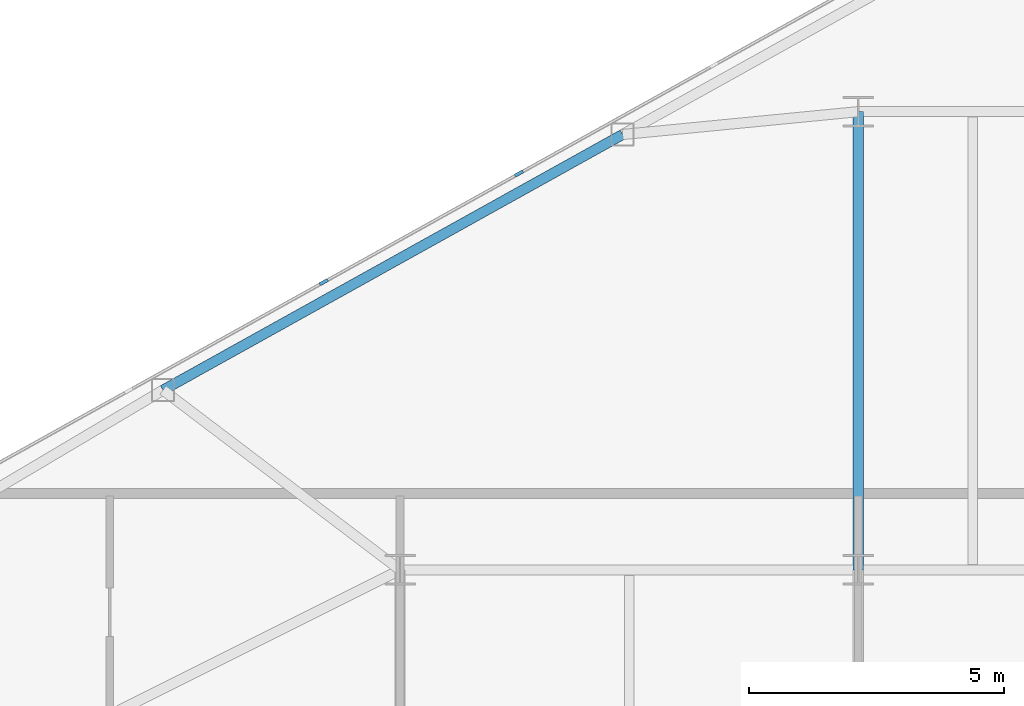
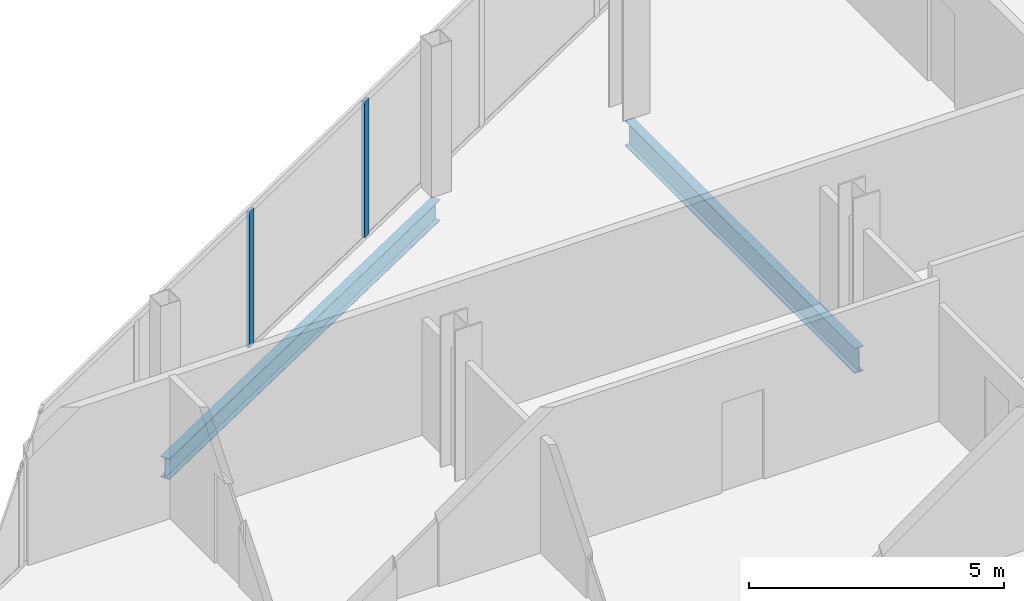
# One storey, part 8 of 26: 2 beams, 2 members, 1 element without a shape of its own.
"""IFC4 building model written with IfcOpenShell, lengths in metres."""

from ifc_helpers import new_model, si_unit, direction, frame, origin, origin_2d, place, context, subcontext, project, spatial, rectangle, i_section, extrude, source, transform, mapped, material, layer, layer_set, material_profile, profile_set, type_object, type_shapes, element, aggregate, save


model = new_model("IFC4")

# Units and contexts
model_context = context("Model", 3, precision=1e-05, world=origin(), true_north=direction((0.0, 1.0)))
body_context = subcontext(model_context, "Body", "Model", "MODEL_VIEW")
ifc_project = project(units=[si_unit("LENGTHUNIT", "METRE"), si_unit("AREAUNIT", "SQUARE_METRE"), si_unit("VOLUMEUNIT", "CUBIC_METRE"), si_unit("PLANEANGLEUNIT", "RADIAN"), si_unit("MASSUNIT", "GRAM", prefix="KILO")], contexts=[model_context])

# Site, building, storey
site_placement = place(None, origin())
site = spatial("IfcSite", under=ifc_project, at=site_placement, CompositionType="ELEMENT")
building_placement = place(site_placement, origin())
building = spatial("IfcBuilding", under=site, at=building_placement, Name="Seokmaru Belvedere", CompositionType="ELEMENT")
storey_placement = place(building_placement, frame((0.0, 0.0, 167.10009765625)))
storey = spatial("IfcBuildingStorey", under=building, at=storey_placement, Name="L44", CompositionType="ELEMENT", Elevation=167.10009765625)

# Beams
ifc_material_1 = material(Name="Steel SM355 (355 MPa)", Category="steel")
ifc_material_profile_1 = material_profile(ifc_material_1, i_section(OverallWidth=0.199951171875, OverallDepth=0.60009765625, WebThickness=0.010986328125, FlangeThickness=0.01708984375, at=origin_2d()), Name="H-600x200x11x17")
ifc_profile_set_1 = profile_set([ifc_material_profile_1], Name="Steel SM355 (355 MPa)")
beam_type_1 = type_object("IfcBeamType", Name="Primary Floor Girder H-600", PredefinedType="BEAM", material=ifc_profile_set_1)
shared_shape_1 = source(origin(), body_context, "Body", "SweptSolid", [
    extrude(i_section(OverallWidth=0.199951171875, OverallDepth=0.60009765625, WebThickness=0.010986328125, FlangeThickness=0.01708984375, at=origin_2d()), origin(), (0.0, 0.0, 1.0), 9.0),
])
type_shapes(beam_type_1, [shared_shape_1])
beam_1_placement = place(storey_placement, frame((-45.5, 4.5, -0.52001953125), z_axis=(0.0, 1.0, 0.0), x_axis=(-1.0, 0.0, 0.0)))
element("IfcBeam", 1, at=beam_1_placement, inside=storey, type_object=beam_type_1, Name="L44 W Interior Grid Girder 3", PredefinedType="BEAM", context=body_context, shape_type="MappedRepresentation", body=[
    mapped(shared_shape_1, transform((0.0, 0.0, 0.0), scale=1.0)),
])
ifc_material_profile_2 = material_profile(ifc_material_1, i_section(OverallWidth=0.199951171875, OverallDepth=0.5, WebThickness=0.010009765625, FlangeThickness=0.01611328125, at=origin_2d()), Name="H-500x200x10x16")
ifc_profile_set_2 = profile_set([ifc_material_profile_2], Name="Steel SM355 (355 MPa)")
beam_type_2 = type_object("IfcBeamType", Name="Perimeter Spandrel Beam H-500", PredefinedType="SPANDREL", material=ifc_profile_set_2)
shared_shape_2 = source(origin(), body_context, "Body", "SweptSolid", [
    extrude(i_section(OverallWidth=0.199951171875, OverallDepth=0.5, WebThickness=0.010009765625, FlangeThickness=0.01611328125, at=origin_2d()), origin(), (0.0, 0.0, 1.0), 10.327392578125),
])
type_shapes(beam_type_2, [shared_shape_2])
beam_2_placement = place(storey_placement, frame((-50.129150390625, 13.051025390625, -0.47021484375), z_axis=(-0.873934162361, -0.48604431882, 0.0), x_axis=(0.48604431882, -0.873934162361, 0.0)))
element("IfcBeam", 2, at=beam_2_placement, inside=storey, type_object=beam_type_2, Name="L44 W Faceted Flank Spandrel N-3", PredefinedType="SPANDREL", context=body_context, shape_type="MappedRepresentation", body=[
    mapped(shared_shape_2, transform((0.0, 0.0, 0.0), scale=1.0)),
])

# Curtain wall, members
ifc_material_2 = material(Name="Bronze Triple Insulating Glass", Category="glass")
ifc_layer = layer(ifc_material_2, 0.179931640625)
ifc_layer_set = layer_set([ifc_layer], Name="Bronze Triple Insulating Glass")
curtain_wall_type = type_object("IfcCurtainWallType", Name="High-Rise Wind-Corner Curtain Wall System CW-5", PredefinedType="NOTDEFINED", material=ifc_layer_set)
curtain_wall_placement = place(storey_placement, origin())
curtain_wall = element("IfcCurtainWall", 3, at=curtain_wall_placement, inside=storey, type_object=curtain_wall_type, Name="L44 Curtain Wall WF3", PredefinedType="NOTDEFINED")
ifc_material_3 = material(Name="Anodised Bronze Aluminium", Category="aluminium")
ifc_material_profile_3 = material_profile(ifc_material_3, rectangle(XDim=0.06494140625, YDim=0.179931640625, at=origin_2d()), Name="CW-M-65x180")
ifc_profile_set_3 = profile_set([ifc_material_profile_3], Name="Anodised Bronze Aluminium")
member_type = type_object("IfcMemberType", Name="Bronze Unitised Mullion 65x180", PredefinedType="MULLION", material=ifc_profile_set_3)
shared_shape_3 = source(origin(), body_context, "Body", "SweptSolid", [
    extrude(rectangle(XDim=0.06494140625, YDim=0.179931640625, at=origin_2d()), origin(), (0.0, 0.0, 1.0), 3.25),
])
type_shapes(member_type, [shared_shape_3])
member_1_placement = place(storey_placement, frame((-52.166015625, 12.2841796875, 0.06494140625), z_axis=(0.0, 0.0, 1.0), x_axis=(0.486047125147, -0.873932601598, 0.0)))
member_1 = element("IfcMember", 4, at=member_1_placement, type_object=member_type, Name="CW:L44:WF3 Mullion 6", PredefinedType="MULLION", context=body_context, shape_type="MappedRepresentation", body=[
    mapped(shared_shape_3, transform((0.0, 0.0, 0.0), scale=1.0)),
])
member_2_placement = place(storey_placement, frame((-55.998291015625, 10.153076171875, 0.06494140625), z_axis=(0.0, 0.0, 1.0), x_axis=(0.486047125147, -0.873932601598, 0.0)))
member_2 = element("IfcMember", 5, at=member_2_placement, type_object=member_type, Name="CW:L44:WF3 Mullion 7", PredefinedType="MULLION", context=body_context, shape_type="MappedRepresentation", body=[
    mapped(shared_shape_3, transform((0.0, 0.0, 0.0), scale=1.0)),
])
aggregate(curtain_wall, [member_1, member_2])

save(model, "model.ifc")
